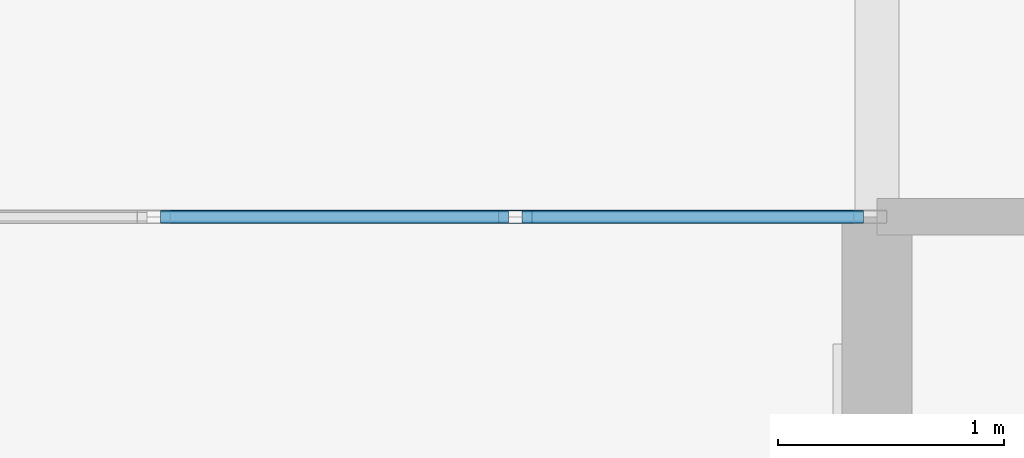
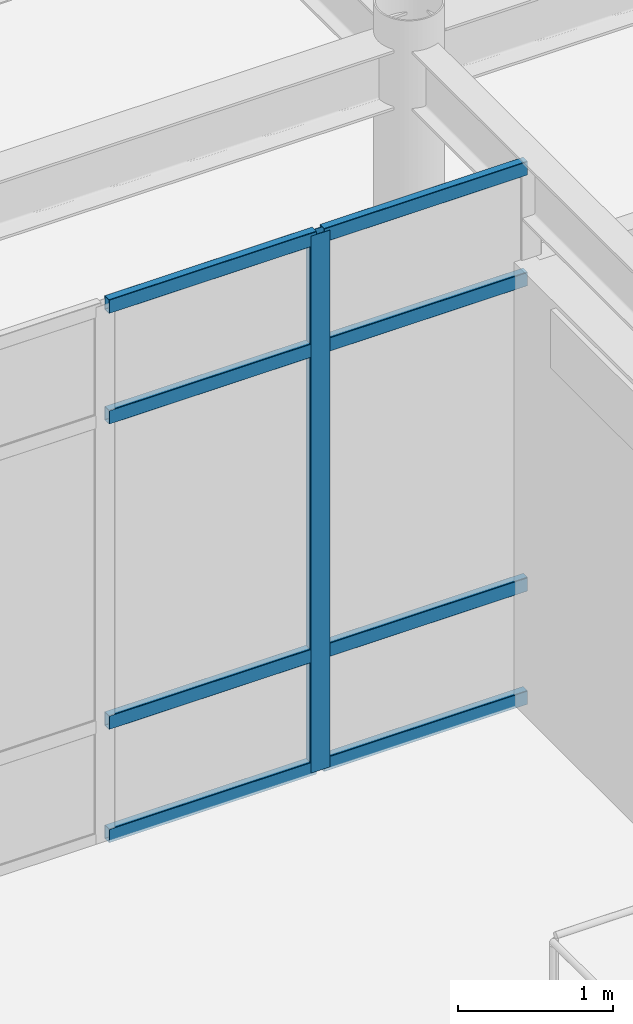
# One storey, part 42 of 93: 9 members, 1 element without a shape of its own.
"""IFC4 building model written with IfcOpenShell, lengths in metres."""

from ifc_helpers import new_model, si_unit, direction, frame, origin, origin_2d, place, context, subcontext, project, spatial, hollow_rectangle, extrude, material, material_profile, profile_set, type_object, element, aggregate, save


model = new_model("IFC4")

# Units and contexts
model_context = context("Model", 3, precision=1e-05, world=origin(), true_north=direction((0.0, 1.0)))
body_context = subcontext(model_context, "Body", "Model", "MODEL_VIEW")
ifc_project = project(units=[si_unit("LENGTHUNIT", "METRE"), si_unit("AREAUNIT", "SQUARE_METRE"), si_unit("VOLUMEUNIT", "CUBIC_METRE"), si_unit("PLANEANGLEUNIT", "RADIAN"), si_unit("MASSUNIT", "GRAM", prefix="KILO")], contexts=[model_context])

# Site, building, storey
site_placement = place(None, origin())
site = spatial("IfcSite", under=ifc_project, at=site_placement, CompositionType="ELEMENT")
building_placement = place(site_placement, origin())
building = spatial("IfcBuilding", under=site, at=building_placement, Name="Solmirada Galleria", CompositionType="ELEMENT")
storey_placement = place(building_placement, frame((0.0, 0.0, 14.89990234375)))
storey = spatial("IfcBuildingStorey", under=building, at=storey_placement, Name="L03", CompositionType="ELEMENT", Elevation=14.89990234375)

# Curtain wall, members
ifc_material_1 = material(Name="Impact-resistant low-E double glazing", Category="glass")
curtain_wall_type = type_object("IfcCurtainWallType", Name="CW-FZ4-L03-B5-L080", PredefinedType="NOTDEFINED", material=ifc_material_1)
curtain_wall_placement = place(storey_placement, origin())
curtain_wall = element("IfcCurtainWall", 1, at=curtain_wall_placement, inside=storey, type_object=curtain_wall_type, Name="Terrace and arcade storefront CW-L03-123", PredefinedType="NOTDEFINED")
ifc_material_2 = material(Name="Anodised aluminium framing", Category="aluminium")
ifc_material_profile_1 = material_profile(ifc_material_2, hollow_rectangle(XDim=0.06005859375, YDim=0.14990234375, WallThickness=0.00341796875, InnerFilletRadius=0.00341796875, OuterFilletRadius=0.007080078125, at=origin_2d()), Name="ALU-MULL-150X60")
ifc_profile_set_1 = profile_set([ifc_material_profile_1], Name="Anodised aluminium framing")
member_type_1 = type_object("IfcMemberType", Name="CW-MULL-150", PredefinedType="MULLION", material=ifc_profile_set_1)
member_1_placement = place(storey_placement, frame((86.39990234375, 86.39990234375, 0.0), z_axis=(0.0, 0.0, 1.0), x_axis=(0.0, -1.0, 0.0)))
member_1 = element("IfcMember", 2, at=member_1_placement, type_object=member_type_1, Name="CW28 mullion 2", PredefinedType="MULLION", context=body_context, shape_type="SweptSolid", body=[
    extrude(hollow_rectangle(XDim=0.06005859375, YDim=0.14990234375, WallThickness=0.00341796875, InnerFilletRadius=0.00341796875, OuterFilletRadius=0.007080078125, at=origin_2d()), origin(), (0.0, 0.0, 1.0), 4.22021484375),
])
ifc_material_profile_2 = material_profile(ifc_material_2, hollow_rectangle(XDim=0.06005859375, YDim=0.110107421875, WallThickness=0.003173828125, InnerFilletRadius=0.003173828125, OuterFilletRadius=0.00634765625, at=origin_2d()), Name="ALU-TRAN-110X60")
ifc_profile_set_2 = profile_set([ifc_material_profile_2], Name="Anodised aluminium framing")
member_type_2 = type_object("IfcMemberType", Name="CW-TRAN-110", PredefinedType="USERDEFINED", material=ifc_profile_set_2)
member_2_placement = place(storey_placement, frame((87.93994140625, 86.39990234375, 0.030029296875), z_axis=(-1.0, 0.0, 0.0), x_axis=(0.0, -1.0, 0.0)))
member_2 = element("IfcMember", 3, at=member_2_placement, type_object=member_type_2, Name="CW28 transom 1.1", ObjectType="TRANSOM", PredefinedType="USERDEFINED", context=body_context, shape_type="SweptSolid", body=[
    extrude(hollow_rectangle(XDim=0.06005859375, YDim=0.110107421875, WallThickness=0.003173828125, InnerFilletRadius=0.003173828125, OuterFilletRadius=0.00634765625, at=origin_2d()), origin(), (0.0, 0.0, 1.0), 1.510009765625),
])
member_3_placement = place(storey_placement, frame((87.93994140625, 86.39990234375, 0.920166015625), z_axis=(-1.0, 0.0, 0.0), x_axis=(0.0, -1.0, 0.0)))
member_3 = element("IfcMember", 4, at=member_3_placement, type_object=member_type_2, Name="CW28 transom 1.2", ObjectType="TRANSOM", PredefinedType="USERDEFINED", context=body_context, shape_type="SweptSolid", body=[
    extrude(hollow_rectangle(XDim=0.06005859375, YDim=0.110107421875, WallThickness=0.003173828125, InnerFilletRadius=0.003173828125, OuterFilletRadius=0.00634765625, at=origin_2d()), origin(), (0.0, 0.0, 1.0), 1.510009765625),
])
member_4_placement = place(storey_placement, frame((87.93994140625, 86.39990234375, 3.320068359375), z_axis=(-1.0, 0.0, 0.0), x_axis=(0.0, -1.0, 0.0)))
member_4 = element("IfcMember", 5, at=member_4_placement, type_object=member_type_2, Name="CW28 transom 1.3", ObjectType="TRANSOM", PredefinedType="USERDEFINED", context=body_context, shape_type="SweptSolid", body=[
    extrude(hollow_rectangle(XDim=0.06005859375, YDim=0.110107421875, WallThickness=0.003173828125, InnerFilletRadius=0.003173828125, OuterFilletRadius=0.00634765625, at=origin_2d()), origin(), (0.0, 0.0, 1.0), 1.510009765625),
])
member_5_placement = place(storey_placement, frame((87.93994140625, 86.39990234375, 4.190185546875), z_axis=(-1.0, 0.0, 0.0), x_axis=(0.0, -1.0, 0.0)))
member_5 = element("IfcMember", 6, at=member_5_placement, type_object=member_type_2, Name="CW28 transom 1.4", ObjectType="TRANSOM", PredefinedType="USERDEFINED", context=body_context, shape_type="SweptSolid", body=[
    extrude(hollow_rectangle(XDim=0.06005859375, YDim=0.110107421875, WallThickness=0.003173828125, InnerFilletRadius=0.003173828125, OuterFilletRadius=0.00634765625, at=origin_2d()), origin(), (0.0, 0.0, 1.0), 1.510009765625),
])
member_6_placement = place(storey_placement, frame((86.3701171875, 86.39990234375, 0.030029296875), z_axis=(-1.0, 0.0, 0.0), x_axis=(0.0, -1.0, 0.0)))
member_6 = element("IfcMember", 7, at=member_6_placement, type_object=member_type_2, Name="CW28 transom 2.1", ObjectType="TRANSOM", PredefinedType="USERDEFINED", context=body_context, shape_type="SweptSolid", body=[
    extrude(hollow_rectangle(XDim=0.06005859375, YDim=0.110107421875, WallThickness=0.003173828125, InnerFilletRadius=0.003173828125, OuterFilletRadius=0.00634765625, at=origin_2d()), origin(), (0.0, 0.0, 1.0), 1.5400390625),
])
member_7_placement = place(storey_placement, frame((86.3701171875, 86.39990234375, 0.920166015625), z_axis=(-1.0, 0.0, 0.0), x_axis=(0.0, -1.0, 0.0)))
member_7 = element("IfcMember", 8, at=member_7_placement, type_object=member_type_2, Name="CW28 transom 2.2", ObjectType="TRANSOM", PredefinedType="USERDEFINED", context=body_context, shape_type="SweptSolid", body=[
    extrude(hollow_rectangle(XDim=0.06005859375, YDim=0.110107421875, WallThickness=0.003173828125, InnerFilletRadius=0.003173828125, OuterFilletRadius=0.00634765625, at=origin_2d()), origin(), (0.0, 0.0, 1.0), 1.5400390625),
])
member_8_placement = place(storey_placement, frame((86.3701171875, 86.39990234375, 3.320068359375), z_axis=(-1.0, 0.0, 0.0), x_axis=(0.0, -1.0, 0.0)))
member_8 = element("IfcMember", 9, at=member_8_placement, type_object=member_type_2, Name="CW28 transom 2.3", ObjectType="TRANSOM", PredefinedType="USERDEFINED", context=body_context, shape_type="SweptSolid", body=[
    extrude(hollow_rectangle(XDim=0.06005859375, YDim=0.110107421875, WallThickness=0.003173828125, InnerFilletRadius=0.003173828125, OuterFilletRadius=0.00634765625, at=origin_2d()), origin(), (0.0, 0.0, 1.0), 1.5400390625),
])
member_9_placement = place(storey_placement, frame((86.3701171875, 86.39990234375, 4.190185546875), z_axis=(-1.0, 0.0, 0.0), x_axis=(0.0, -1.0, 0.0)))
member_9 = element("IfcMember", 10, at=member_9_placement, type_object=member_type_2, Name="CW28 transom 2.4", ObjectType="TRANSOM", PredefinedType="USERDEFINED", context=body_context, shape_type="SweptSolid", body=[
    extrude(hollow_rectangle(XDim=0.06005859375, YDim=0.110107421875, WallThickness=0.003173828125, InnerFilletRadius=0.003173828125, OuterFilletRadius=0.00634765625, at=origin_2d()), origin(), (0.0, 0.0, 1.0), 1.5400390625),
])
aggregate(curtain_wall, [member_1, member_2, member_3, member_4, member_5, member_6, member_7, member_8, member_9])

save(model, "model.ifc")
